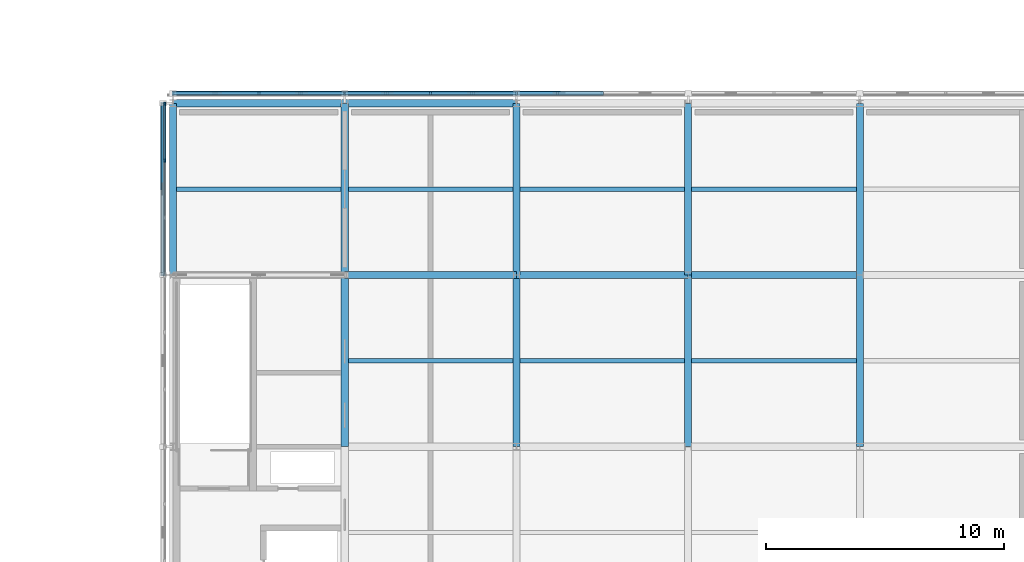
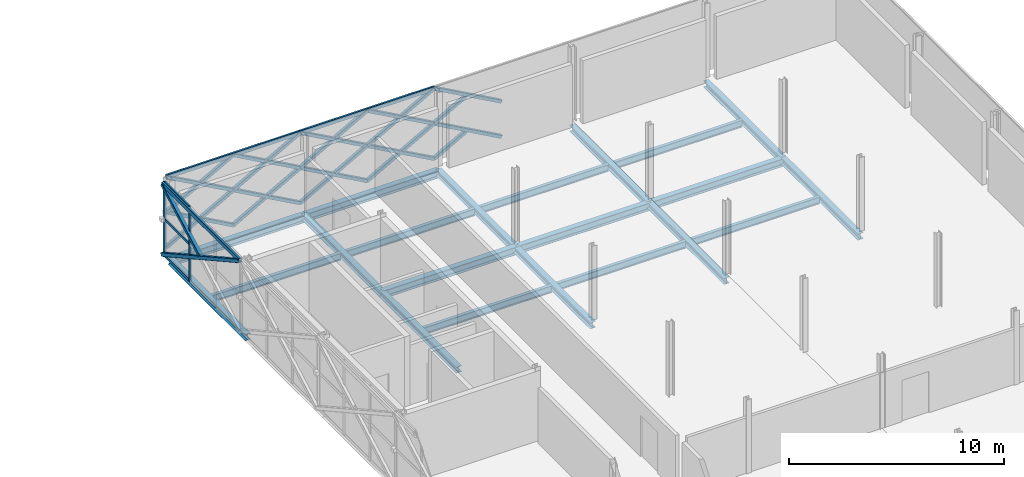
# One storey, part 78 of 146: 38 members, 21 beams, 1 element without a shape of its own.
"""IFC4 building model written with IfcOpenShell, lengths in metres."""

from ifc_helpers import new_model, si_unit, direction, frame, origin, origin_2d, place, context, subcontext, project, spatial, rectangle, hollow_rectangle, i_section, extrude, material, material_profile, profile_set, type_object, element, aggregate, save


model = new_model("IFC4")

# Units and contexts
model_context = context("Model", 3, precision=1e-05, world=origin(), true_north=direction((0.0, 1.0)))
body_context = subcontext(model_context, "Body", "Model", "MODEL_VIEW")
ifc_project = project(units=[si_unit("LENGTHUNIT", "METRE"), si_unit("AREAUNIT", "SQUARE_METRE"), si_unit("VOLUMEUNIT", "CUBIC_METRE"), si_unit("PLANEANGLEUNIT", "RADIAN"), si_unit("MASSUNIT", "GRAM", prefix="KILO")], contexts=[model_context])

# Site, building, storey
site_placement = place(None, origin())
site = spatial("IfcSite", under=ifc_project, at=site_placement, CompositionType="ELEMENT")
building_placement = place(site_placement, origin())
building = spatial("IfcBuilding", under=site, at=building_placement, Name="Zlatovets Crest Museum", CompositionType="ELEMENT")
storey_placement = place(building_placement, frame((0.0, 0.0, 4.5)))
storey = spatial("IfcBuildingStorey", under=building, at=storey_placement, Name="L01", CompositionType="ELEMENT", Elevation=4.5)

# Beams
ifc_material_1 = material(Name="Structural steel S355J2", Category="steel")
ifc_material_profile_1 = material_profile(ifc_material_1, i_section(OverallWidth=0.300048828125, OverallDepth=0.35009765625, WebThickness=0.010009765625, FlangeThickness=0.017578125, FilletRadius=0.027099609375, at=origin_2d()), Name="HEA 360")
ifc_profile_set_1 = profile_set([ifc_material_profile_1], Name="Structural steel S355J2")
beam_type_1 = type_object("IfcBeamType", Name="Beam_B-03", PredefinedType="BEAM", material=ifc_profile_set_1)
beam_1_placement = place(storey_placement, frame((129.60009765625, 93.60009765625, -0.39501953125), z_axis=(0.0, 1.0, 0.0), x_axis=(-1.0, 0.0, 0.0)))
element("IfcBeam", 1, at=beam_1_placement, inside=storey, type_object=beam_type_1, Name="V5 L01 Grid Beam B-03", PredefinedType="BEAM", context=body_context, shape_type="SweptSolid", body=[
    extrude(i_section(OverallWidth=0.300048828125, OverallDepth=0.35009765625, WebThickness=0.010009765625, FlangeThickness=0.017578125, FilletRadius=0.027099609375, at=origin_2d()), origin(), (0.0, 0.0, 1.0), 7.199951171875),
])
beam_2_placement = place(storey_placement, frame((136.800048828125, 86.39990234375, -0.39501953125), z_axis=(0.0, 1.0, 0.0), x_axis=(-1.0, 0.0, 0.0)))
element("IfcBeam", 2, at=beam_2_placement, inside=storey, type_object=beam_type_1, Name="V5 L01 Grid Beam B-03", PredefinedType="BEAM", context=body_context, shape_type="SweptSolid", body=[
    extrude(i_section(OverallWidth=0.300048828125, OverallDepth=0.35009765625, WebThickness=0.010009765625, FlangeThickness=0.017578125, FilletRadius=0.027099609375, at=origin_2d()), origin(), (0.0, 0.0, 1.0), 7.2001953125),
])
beam_3_placement = place(storey_placement, frame((136.800048828125, 93.60009765625, -0.39501953125), z_axis=(0.0, 1.0, 0.0), x_axis=(-1.0, 0.0, 0.0)))
element("IfcBeam", 3, at=beam_3_placement, inside=storey, type_object=beam_type_1, Name="V5 L01 Grid Beam B-03", PredefinedType="BEAM", context=body_context, shape_type="SweptSolid", body=[
    extrude(i_section(OverallWidth=0.300048828125, OverallDepth=0.35009765625, WebThickness=0.010009765625, FlangeThickness=0.017578125, FilletRadius=0.027099609375, at=origin_2d()), origin(), (0.0, 0.0, 1.0), 7.199951171875),
])
beam_4_placement = place(storey_placement, frame((144.0, 86.39990234375, -0.39501953125), z_axis=(0.0, 1.0, 0.0), x_axis=(-1.0, 0.0, 0.0)))
element("IfcBeam", 4, at=beam_4_placement, inside=storey, type_object=beam_type_1, Name="V5 L01 Grid Beam B-03", PredefinedType="BEAM", context=body_context, shape_type="SweptSolid", body=[
    extrude(i_section(OverallWidth=0.300048828125, OverallDepth=0.35009765625, WebThickness=0.010009765625, FlangeThickness=0.017578125, FilletRadius=0.027099609375, at=origin_2d()), origin(), (0.0, 0.0, 1.0), 7.2001953125),
])
beam_5_placement = place(storey_placement, frame((144.0, 93.60009765625, -0.39501953125), z_axis=(0.0, 1.0, 0.0), x_axis=(-1.0, 0.0, 0.0)))
element("IfcBeam", 5, at=beam_5_placement, inside=storey, type_object=beam_type_1, Name="V5 L01 Grid Beam B-03", PredefinedType="BEAM", context=body_context, shape_type="SweptSolid", body=[
    extrude(i_section(OverallWidth=0.300048828125, OverallDepth=0.35009765625, WebThickness=0.010009765625, FlangeThickness=0.017578125, FilletRadius=0.027099609375, at=origin_2d()), origin(), (0.0, 0.0, 1.0), 7.199951171875),
])
beam_6_placement = place(storey_placement, frame((151.199951171875, 86.39990234375, -0.39501953125), z_axis=(0.0, 1.0, 0.0), x_axis=(-1.0, 0.0, 0.0)))
element("IfcBeam", 6, at=beam_6_placement, inside=storey, type_object=beam_type_1, Name="V5 L01 Grid Beam B-03", PredefinedType="BEAM", context=body_context, shape_type="SweptSolid", body=[
    extrude(i_section(OverallWidth=0.300048828125, OverallDepth=0.35009765625, WebThickness=0.010009765625, FlangeThickness=0.017578125, FilletRadius=0.027099609375, at=origin_2d()), origin(), (0.0, 0.0, 1.0), 7.2001953125),
])
beam_7_placement = place(storey_placement, frame((151.199951171875, 93.60009765625, -0.39501953125), z_axis=(0.0, 1.0, 0.0), x_axis=(-1.0, 0.0, 0.0)))
element("IfcBeam", 7, at=beam_7_placement, inside=storey, type_object=beam_type_1, Name="V5 L01 Grid Beam B-03", PredefinedType="BEAM", context=body_context, shape_type="SweptSolid", body=[
    extrude(i_section(OverallWidth=0.300048828125, OverallDepth=0.35009765625, WebThickness=0.010009765625, FlangeThickness=0.017578125, FilletRadius=0.027099609375, at=origin_2d()), origin(), (0.0, 0.0, 1.0), 7.199951171875),
])
beam_8_placement = place(storey_placement, frame((158.39990234375, 86.39990234375, -0.39501953125), z_axis=(0.0, 1.0, 0.0), x_axis=(-1.0, 0.0, 0.0)))
element("IfcBeam", 8, at=beam_8_placement, inside=storey, type_object=beam_type_1, Name="V5 L01 Grid Beam B-03", PredefinedType="BEAM", context=body_context, shape_type="SweptSolid", body=[
    extrude(i_section(OverallWidth=0.300048828125, OverallDepth=0.35009765625, WebThickness=0.010009765625, FlangeThickness=0.017578125, FilletRadius=0.027099609375, at=origin_2d()), origin(), (0.0, 0.0, 1.0), 7.2001953125),
])
beam_9_placement = place(storey_placement, frame((158.39990234375, 93.60009765625, -0.39501953125), z_axis=(0.0, 1.0, 0.0), x_axis=(-1.0, 0.0, 0.0)))
element("IfcBeam", 9, at=beam_9_placement, inside=storey, type_object=beam_type_1, Name="V5 L01 Grid Beam B-03", PredefinedType="BEAM", context=body_context, shape_type="SweptSolid", body=[
    extrude(i_section(OverallWidth=0.300048828125, OverallDepth=0.35009765625, WebThickness=0.010009765625, FlangeThickness=0.017578125, FilletRadius=0.027099609375, at=origin_2d()), origin(), (0.0, 0.0, 1.0), 7.199951171875),
])
ifc_material_profile_2 = material_profile(ifc_material_1, i_section(OverallWidth=0.300048828125, OverallDepth=0.43994140625, WebThickness=0.011474609375, FlangeThickness=0.02099609375, FilletRadius=0.027099609375, at=origin_2d()), Name="HEA 450")
ifc_profile_set_2 = profile_set([ifc_material_profile_2], Name="Structural steel S355J2")
beam_type_2 = type_object("IfcBeamType", Name="Beam_B-10", PredefinedType="BEAM", material=ifc_profile_set_2)
for number, where, z_axis, x_axis, name in (
    (10, (136.800048828125, 93.60009765625, -0.43994140625), (1.0, 0.0, 0.0), (0.0, 1.0, 0.0), "V5 L01 Primary Girder B-10"),
    (11, (144.0, 93.60009765625, -0.43994140625), (1.0, 0.0, 0.0), (0.0, 1.0, 0.0), "V5 L01 Primary Girder B-10"),
    (12, (151.199951171875, 93.60009765625, -0.43994140625), (1.0, 0.0, 0.0), (0.0, 1.0, 0.0), "V5 L01 Primary Girder B-10"),
    (13, (129.60009765625, 100.800048828125, -0.43994140625), (1.0, 0.0, 0.0), (0.0, 1.0, 0.0), "V5 L01 Primary Girder B-10"),
    (14, (136.800048828125, 100.800048828125, -0.43994140625), (1.0, 0.0, 0.0), (0.0, 1.0, 0.0), "V5 L01 Primary Girder B-10"),
):
    element("IfcBeam", number, at=place(storey_placement, frame(where, z_axis=z_axis, x_axis=x_axis)), inside=storey, type_object=beam_type_2, Name=name, PredefinedType="BEAM", context=body_context, shape_type="SweptSolid", body=[
        extrude(i_section(OverallWidth=0.300048828125, OverallDepth=0.43994140625, WebThickness=0.011474609375, FlangeThickness=0.02099609375, FilletRadius=0.027099609375, at=origin_2d()), origin(), (0.0, 0.0, 1.0), 7.199951171875),
    ])
ifc_material_profile_3 = material_profile(ifc_material_1, i_section(OverallWidth=0.179931640625, OverallDepth=0.39990234375, WebThickness=0.008544921875, FlangeThickness=0.013427734375, FilletRadius=0.02099609375, at=origin_2d()), Name="IPE 400")
ifc_profile_set_3 = profile_set([ifc_material_profile_3], Name="Structural steel S355J2")
beam_type_3 = type_object("IfcBeamType", Name="Beam_J-04", PredefinedType="JOIST", material=ifc_profile_set_3)
beam_10_placement = place(storey_placement, frame((129.75, 97.199951171875, -0.419921875), z_axis=(1.0, 0.0, 0.0), x_axis=(0.0, 1.0, 0.0)))
element("IfcBeam", 15, at=beam_10_placement, inside=storey, type_object=beam_type_3, Name="V5 L01 Composite Joist J-04", PredefinedType="JOIST", context=body_context, shape_type="SweptSolid", body=[
    extrude(i_section(OverallWidth=0.179931640625, OverallDepth=0.39990234375, WebThickness=0.008544921875, FlangeThickness=0.013427734375, FilletRadius=0.02099609375, at=origin_2d()), origin(), (0.0, 0.0, 1.0), 6.89990234375),
])
for number, where, z_axis, x_axis, name in (
    (16, (136.949951171875, 90.0, -0.419921875), (1.0, 0.0, 0.0), (0.0, 1.0, 0.0), "V5 L01 Composite Joist J-04"),
    (17, (136.949951171875, 97.199951171875, -0.419921875), (1.0, 0.0, 0.0), (0.0, 1.0, 0.0), "V5 L01 Composite Joist J-04"),
    (18, (144.14990234375, 90.0, -0.419921875), (1.0, 0.0, 0.0), (0.0, 1.0, 0.0), "V5 L01 Composite Joist J-04"),
    (19, (144.14990234375, 97.199951171875, -0.419921875), (1.0, 0.0, 0.0), (0.0, 1.0, 0.0), "V5 L01 Composite Joist J-04"),
):
    element("IfcBeam", number, at=place(storey_placement, frame(where, z_axis=z_axis, x_axis=x_axis)), inside=storey, type_object=beam_type_3, Name=name, PredefinedType="JOIST", context=body_context, shape_type="SweptSolid", body=[
        extrude(i_section(OverallWidth=0.179931640625, OverallDepth=0.39990234375, WebThickness=0.008544921875, FlangeThickness=0.013427734375, FilletRadius=0.02099609375, at=origin_2d()), origin(), (0.0, 0.0, 1.0), 6.900146484375),
    ])
for number, where, z_axis, x_axis, name in (
    (20, (151.35009765625, 90.0, -0.419921875), (1.0, 0.0, 0.0), (0.0, 1.0, 0.0), "V5 L01 Composite Joist J-04"),
    (21, (151.35009765625, 97.199951171875, -0.419921875), (1.0, 0.0, 0.0), (0.0, 1.0, 0.0), "V5 L01 Composite Joist J-04"),
):
    element("IfcBeam", number, at=place(storey_placement, frame(where, z_axis=z_axis, x_axis=x_axis)), inside=storey, type_object=beam_type_3, Name=name, PredefinedType="JOIST", context=body_context, shape_type="SweptSolid", body=[
        extrude(i_section(OverallWidth=0.179931640625, OverallDepth=0.39990234375, WebThickness=0.008544921875, FlangeThickness=0.013427734375, FilletRadius=0.02099609375, at=origin_2d()), origin(), (0.0, 0.0, 1.0), 6.89990234375),
    ])

# Curtain wall, members
ifc_material_2 = material(Name="Bronze-anodised aluminium and low-E triple glass", Category="aluminium")
curtain_wall_type = type_object("IfcCurtainWallType", Name="CW_CW-V5-L01-M2", PredefinedType="NOTDEFINED", material=ifc_material_2)
curtain_wall_placement = place(storey_placement, origin())
curtain_wall = element("IfcCurtainWall", 22, at=curtain_wall_placement, inside=storey, type_object=curtain_wall_type, Name="V5 L01 Secession Foyer Clear Curtain Wall", PredefinedType="NOTDEFINED")
ifc_material_3 = material(Name="Bronze-anodised aluminium EN AW-6060", Category="aluminium")
ifc_material_profile_4 = material_profile(ifc_material_3, rectangle(XDim=0.080078125, YDim=0.159912109375, at=origin_2d()), Name="ALU 80x160")
ifc_profile_set_4 = profile_set([ifc_material_profile_4], Name="Bronze-anodised aluminium EN AW-6060")
member_type_1 = type_object("IfcMemberType", Name="CWMull_M1", PredefinedType="MULLION", material=ifc_profile_set_4)
member_1_placement = place(storey_placement, frame((129.260009765625, 100.77001953125, 0.0), z_axis=(0.0, 0.0, 1.0), x_axis=(1.0, 0.0, 0.0)))
member_1 = element("IfcMember", 23, at=member_1_placement, type_object=member_type_1, Name="CW-V5-L01-M2 mullion 1", PredefinedType="MULLION", context=body_context, shape_type="SweptSolid", body=[
    extrude(rectangle(XDim=0.080078125, YDim=0.159912109375, at=origin_2d()), origin(), (0.0, 0.0, 1.0), 4.199951171875),
])
member_2_placement = place(storey_placement, frame((129.260009765625, 98.39990234375, 0.0), z_axis=(0.0, 0.0, 1.0), x_axis=(1.0, 0.0, 0.0)))
member_2 = element("IfcMember", 24, at=member_2_placement, type_object=member_type_1, Name="CW-V5-L01-M2 mullion 2", PredefinedType="MULLION", context=body_context, shape_type="SweptSolid", body=[
    extrude(rectangle(XDim=0.080078125, YDim=0.159912109375, at=origin_2d()), origin(), (0.0, 0.0, 1.0), 4.199951171875),
])
ifc_material_profile_5 = material_profile(ifc_material_3, rectangle(XDim=0.080078125, YDim=0.159912109375, at=origin_2d()), Name="ALU 80x160")
ifc_profile_set_5 = profile_set([ifc_material_profile_5], Name="Bronze-anodised aluminium EN AW-6060")
member_type_2 = type_object("IfcMemberType", Name="CWTrans_T1", PredefinedType="USERDEFINED", material=ifc_profile_set_5)
member_3_placement = place(storey_placement, frame((129.260009765625, 100.739990234375, 0.030029296875), z_axis=(0.0, -1.0, 0.0), x_axis=(1.0, 0.0, 0.0)))
member_3 = element("IfcMember", 25, at=member_3_placement, type_object=member_type_2, Name="CW-V5-L01-M2 transom 1.1", ObjectType="TRANSOM", PredefinedType="USERDEFINED", context=body_context, shape_type="SweptSolid", body=[
    extrude(rectangle(XDim=0.080078125, YDim=0.159912109375, at=origin_2d()), origin(), (0.0, 0.0, 1.0), 2.31005859375),
])
member_4_placement = place(storey_placement, frame((129.260009765625, 100.739990234375, 2.10009765625), z_axis=(0.0, -1.0, 0.0), x_axis=(1.0, 0.0, 0.0)))
member_4 = element("IfcMember", 26, at=member_4_placement, type_object=member_type_2, Name="CW-V5-L01-M2 transom 1.2", ObjectType="TRANSOM", PredefinedType="USERDEFINED", context=body_context, shape_type="SweptSolid", body=[
    extrude(rectangle(XDim=0.080078125, YDim=0.159912109375, at=origin_2d()), origin(), (0.0, 0.0, 1.0), 2.31005859375),
])
member_5_placement = place(storey_placement, frame((129.260009765625, 100.739990234375, 4.169921875), z_axis=(0.0, -1.0, 0.0), x_axis=(1.0, 0.0, 0.0)))
member_5 = element("IfcMember", 27, at=member_5_placement, type_object=member_type_2, Name="CW-V5-L01-M2 transom 1.3", ObjectType="TRANSOM", PredefinedType="USERDEFINED", context=body_context, shape_type="SweptSolid", body=[
    extrude(rectangle(XDim=0.080078125, YDim=0.159912109375, at=origin_2d()), origin(), (0.0, 0.0, 1.0), 2.31005859375),
])
aggregate(curtain_wall, [member_1, member_2, member_3, member_4, member_5])

# Members
ifc_material_4 = material(Name="Weathering bronze-steel S355J2W", Category="steel")
ifc_material_profile_6 = material_profile(ifc_material_4, hollow_rectangle(XDim=0.179931640625, YDim=0.179931640625, WallThickness=0.010009765625, InnerFilletRadius=0.010009765625, OuterFilletRadius=0.02001953125, at=origin_2d()), Name="SHS 180x180x10.0")
ifc_profile_set_6 = profile_set([ifc_material_profile_6], Name="Weathering bronze-steel S355J2W")
member_type_3 = type_object("IfcMemberType", Name="Lattice_XL-01", PredefinedType="BRACE", material=ifc_profile_set_6)
member_6_placement = place(storey_placement, frame((147.60009765625, 101.219970703125, 0.10009765625), z_axis=(-0.874162868644, 0.0, 0.485632864501), x_axis=(0.0, -1.0, 0.0)))
element("IfcMember", 28, at=member_6_placement, inside=storey, type_object=member_type_3, Name="Continuous Bronze Lattice Diagonal", PredefinedType="BRACE", context=body_context, shape_type="SweptSolid", body=[
    extrude(hollow_rectangle(XDim=0.179931640625, YDim=0.179931640625, WallThickness=0.010009765625, InnerFilletRadius=0.010009765625, OuterFilletRadius=0.02001953125, at=origin_2d()), origin(), (0.0, 0.0, 1.0), 4.118408203125),
])
member_7_placement = place(storey_placement, frame((145.717041015625, 101.219970703125, 1.053955078125), z_axis=(-0.874169001841, 0.0, -0.485621824284), x_axis=(0.0, -1.0, 0.0)))
element("IfcMember", 29, at=member_7_placement, inside=storey, type_object=member_type_3, Name="Split Crossing Bronze Lattice Diagonal Lower", PredefinedType="BRACE", context=body_context, shape_type="SweptSolid", body=[
    extrude(hollow_rectangle(XDim=0.179931640625, YDim=0.179931640625, WallThickness=0.010009765625, InnerFilletRadius=0.010009765625, OuterFilletRadius=0.02001953125, at=origin_2d()), origin(), (0.0, 0.0, 1.0), 1.964111328125),
])
member_8_placement = place(storey_placement, frame((147.60009765625, 101.219970703125, 2.10009765625), z_axis=(-0.874162868644, 0.0, 0.485632864501), x_axis=(0.0, -1.0, 0.0)))
element("IfcMember", 30, at=member_8_placement, inside=storey, type_object=member_type_3, Name="Continuous Bronze Lattice Diagonal", PredefinedType="BRACE", context=body_context, shape_type="SweptSolid", body=[
    extrude(hollow_rectangle(XDim=0.179931640625, YDim=0.179931640625, WallThickness=0.010009765625, InnerFilletRadius=0.010009765625, OuterFilletRadius=0.02001953125, at=origin_2d()), origin(), (0.0, 0.0, 1.0), 4.118408203125),
])
member_9_placement = place(storey_placement, frame((145.717041015625, 101.219970703125, 3.053955078125), z_axis=(-0.874169001841, 0.0, -0.485621824284), x_axis=(0.0, -1.0, 0.0)))
element("IfcMember", 31, at=member_9_placement, inside=storey, type_object=member_type_3, Name="Split Crossing Bronze Lattice Diagonal Lower", PredefinedType="BRACE", context=body_context, shape_type="SweptSolid", body=[
    extrude(hollow_rectangle(XDim=0.179931640625, YDim=0.179931640625, WallThickness=0.010009765625, InnerFilletRadius=0.010009765625, OuterFilletRadius=0.02001953125, at=origin_2d()), origin(), (0.0, 0.0, 1.0), 1.964111328125),
])
member_10_placement = place(storey_placement, frame((144.0, 101.219970703125, 0.10009765625), z_axis=(-0.874162868644, 0.0, 0.485632864501), x_axis=(0.0, -1.0, 0.0)))
element("IfcMember", 32, at=member_10_placement, inside=storey, type_object=member_type_3, Name="Continuous Bronze Lattice Diagonal", PredefinedType="BRACE", context=body_context, shape_type="SweptSolid", body=[
    extrude(hollow_rectangle(XDim=0.179931640625, YDim=0.179931640625, WallThickness=0.010009765625, InnerFilletRadius=0.010009765625, OuterFilletRadius=0.02001953125, at=origin_2d()), origin(), (0.0, 0.0, 1.0), 4.118408203125),
])
member_11_placement = place(storey_placement, frame((144.0, 101.219970703125, 2.10009765625), z_axis=(-0.874116234569, 0.0, -0.48571679862), x_axis=(0.0, -1.0, 0.0)))
element("IfcMember", 33, at=member_11_placement, inside=storey, type_object=member_type_3, Name="Split Crossing Bronze Lattice Diagonal Upper", PredefinedType="BRACE", context=body_context, shape_type="SweptSolid", body=[
    extrude(hollow_rectangle(XDim=0.179931640625, YDim=0.179931640625, WallThickness=0.010009765625, InnerFilletRadius=0.010009765625, OuterFilletRadius=0.02001953125, at=origin_2d()), origin(), (0.0, 0.0, 1.0), 1.96435546875),
])
member_12_placement = place(storey_placement, frame((142.116943359375, 101.219970703125, 1.053955078125), z_axis=(-0.874169001841, 0.0, -0.485621824284), x_axis=(0.0, -1.0, 0.0)))
element("IfcMember", 34, at=member_12_placement, inside=storey, type_object=member_type_3, Name="Split Crossing Bronze Lattice Diagonal Lower", PredefinedType="BRACE", context=body_context, shape_type="SweptSolid", body=[
    extrude(hollow_rectangle(XDim=0.179931640625, YDim=0.179931640625, WallThickness=0.010009765625, InnerFilletRadius=0.010009765625, OuterFilletRadius=0.02001953125, at=origin_2d()), origin(), (0.0, 0.0, 1.0), 1.964111328125),
])
member_13_placement = place(storey_placement, frame((140.39990234375, 101.219970703125, 0.10009765625), z_axis=(-0.874148886685, 0.0, 0.485658031857), x_axis=(0.0, -1.0, 0.0)))
element("IfcMember", 35, at=member_13_placement, inside=storey, type_object=member_type_3, Name="Continuous Bronze Lattice Diagonal", PredefinedType="BRACE", context=body_context, shape_type="SweptSolid", body=[
    extrude(hollow_rectangle(XDim=0.179931640625, YDim=0.179931640625, WallThickness=0.010009765625, InnerFilletRadius=0.010009765625, OuterFilletRadius=0.02001953125, at=origin_2d()), origin(), (0.0, 0.0, 1.0), 4.1181640625),
])
for number, where, z_axis, x_axis, name in (
    (36, (140.39990234375, 101.219970703125, 2.10009765625), (-0.874086907708, 0.0, -0.485769572713), (0.0, -1.0, 0.0), "Split Crossing Bronze Lattice Diagonal Upper"),
    (37, (138.51708984375, 101.219970703125, 1.053955078125), (-0.874169001841, 0.0, -0.485621824284), (0.0, -1.0, 0.0), "Split Crossing Bronze Lattice Diagonal Lower"),
):
    element("IfcMember", number, at=place(storey_placement, frame(where, z_axis=z_axis, x_axis=x_axis)), inside=storey, type_object=member_type_3, Name=name, PredefinedType="BRACE", context=body_context, shape_type="SweptSolid", body=[
        extrude(hollow_rectangle(XDim=0.179931640625, YDim=0.179931640625, WallThickness=0.010009765625, InnerFilletRadius=0.010009765625, OuterFilletRadius=0.02001953125, at=origin_2d()), origin(), (0.0, 0.0, 1.0), 1.964111328125),
    ])
member_14_placement = place(storey_placement, frame((144.0, 101.219970703125, 2.10009765625), z_axis=(-0.874162868644, 0.0, 0.485632864501), x_axis=(0.0, -1.0, 0.0)))
element("IfcMember", 38, at=member_14_placement, inside=storey, type_object=member_type_3, Name="Continuous Bronze Lattice Diagonal", PredefinedType="BRACE", context=body_context, shape_type="SweptSolid", body=[
    extrude(hollow_rectangle(XDim=0.179931640625, YDim=0.179931640625, WallThickness=0.010009765625, InnerFilletRadius=0.010009765625, OuterFilletRadius=0.02001953125, at=origin_2d()), origin(), (0.0, 0.0, 1.0), 4.118408203125),
])
member_15_placement = place(storey_placement, frame((144.0, 101.219970703125, 4.10009765625), z_axis=(-0.874116234569, 0.0, -0.48571679862), x_axis=(0.0, -1.0, 0.0)))
element("IfcMember", 39, at=member_15_placement, inside=storey, type_object=member_type_3, Name="Split Crossing Bronze Lattice Diagonal Upper", PredefinedType="BRACE", context=body_context, shape_type="SweptSolid", body=[
    extrude(hollow_rectangle(XDim=0.179931640625, YDim=0.179931640625, WallThickness=0.010009765625, InnerFilletRadius=0.010009765625, OuterFilletRadius=0.02001953125, at=origin_2d()), origin(), (0.0, 0.0, 1.0), 1.96435546875),
])
member_16_placement = place(storey_placement, frame((142.116943359375, 101.219970703125, 3.053955078125), z_axis=(-0.874169001841, 0.0, -0.485621824284), x_axis=(0.0, -1.0, 0.0)))
element("IfcMember", 40, at=member_16_placement, inside=storey, type_object=member_type_3, Name="Split Crossing Bronze Lattice Diagonal Lower", PredefinedType="BRACE", context=body_context, shape_type="SweptSolid", body=[
    extrude(hollow_rectangle(XDim=0.179931640625, YDim=0.179931640625, WallThickness=0.010009765625, InnerFilletRadius=0.010009765625, OuterFilletRadius=0.02001953125, at=origin_2d()), origin(), (0.0, 0.0, 1.0), 1.964111328125),
])
member_17_placement = place(storey_placement, frame((140.39990234375, 101.219970703125, 2.10009765625), z_axis=(-0.874148886685, 0.0, 0.485658031857), x_axis=(0.0, -1.0, 0.0)))
element("IfcMember", 41, at=member_17_placement, inside=storey, type_object=member_type_3, Name="Continuous Bronze Lattice Diagonal", PredefinedType="BRACE", context=body_context, shape_type="SweptSolid", body=[
    extrude(hollow_rectangle(XDim=0.179931640625, YDim=0.179931640625, WallThickness=0.010009765625, InnerFilletRadius=0.010009765625, OuterFilletRadius=0.02001953125, at=origin_2d()), origin(), (0.0, 0.0, 1.0), 4.1181640625),
])
for number, where, z_axis, x_axis, name in (
    (42, (140.39990234375, 101.219970703125, 4.10009765625), (-0.874086907708, 0.0, -0.485769572713), (0.0, -1.0, 0.0), "Split Crossing Bronze Lattice Diagonal Upper"),
    (43, (138.51708984375, 101.219970703125, 3.053955078125), (-0.874169001841, 0.0, -0.485621824284), (0.0, -1.0, 0.0), "Split Crossing Bronze Lattice Diagonal Lower"),
):
    element("IfcMember", number, at=place(storey_placement, frame(where, z_axis=z_axis, x_axis=x_axis)), inside=storey, type_object=member_type_3, Name=name, PredefinedType="BRACE", context=body_context, shape_type="SweptSolid", body=[
        extrude(hollow_rectangle(XDim=0.179931640625, YDim=0.179931640625, WallThickness=0.010009765625, InnerFilletRadius=0.010009765625, OuterFilletRadius=0.02001953125, at=origin_2d()), origin(), (0.0, 0.0, 1.0), 1.964111328125),
    ])
member_18_placement = place(storey_placement, frame((136.800048828125, 101.219970703125, 0.10009765625), z_axis=(-0.874162868644, 0.0, 0.485632864501), x_axis=(0.0, -1.0, 0.0)))
element("IfcMember", 44, at=member_18_placement, inside=storey, type_object=member_type_3, Name="Continuous Bronze Lattice Diagonal", PredefinedType="BRACE", context=body_context, shape_type="SweptSolid", body=[
    extrude(hollow_rectangle(XDim=0.179931640625, YDim=0.179931640625, WallThickness=0.010009765625, InnerFilletRadius=0.010009765625, OuterFilletRadius=0.02001953125, at=origin_2d()), origin(), (0.0, 0.0, 1.0), 4.118408203125),
])
member_19_placement = place(storey_placement, frame((136.800048828125, 101.219970703125, 2.10009765625), z_axis=(-0.874116234569, 0.0, -0.48571679862), x_axis=(0.0, -1.0, 0.0)))
element("IfcMember", 45, at=member_19_placement, inside=storey, type_object=member_type_3, Name="Split Crossing Bronze Lattice Diagonal Upper", PredefinedType="BRACE", context=body_context, shape_type="SweptSolid", body=[
    extrude(hollow_rectangle(XDim=0.179931640625, YDim=0.179931640625, WallThickness=0.010009765625, InnerFilletRadius=0.010009765625, OuterFilletRadius=0.02001953125, at=origin_2d()), origin(), (0.0, 0.0, 1.0), 1.96435546875),
])
member_20_placement = place(storey_placement, frame((134.9169921875, 101.219970703125, 1.053955078125), z_axis=(-0.874169001841, 0.0, -0.485621824284), x_axis=(0.0, -1.0, 0.0)))
element("IfcMember", 46, at=member_20_placement, inside=storey, type_object=member_type_3, Name="Split Crossing Bronze Lattice Diagonal Lower", PredefinedType="BRACE", context=body_context, shape_type="SweptSolid", body=[
    extrude(hollow_rectangle(XDim=0.179931640625, YDim=0.179931640625, WallThickness=0.010009765625, InnerFilletRadius=0.010009765625, OuterFilletRadius=0.02001953125, at=origin_2d()), origin(), (0.0, 0.0, 1.0), 1.964111328125),
])
member_21_placement = place(storey_placement, frame((133.199951171875, 101.219970703125, 0.10009765625), z_axis=(-0.874148886685, 0.0, 0.485658031857), x_axis=(0.0, -1.0, 0.0)))
element("IfcMember", 47, at=member_21_placement, inside=storey, type_object=member_type_3, Name="Continuous Bronze Lattice Diagonal", PredefinedType="BRACE", context=body_context, shape_type="SweptSolid", body=[
    extrude(hollow_rectangle(XDim=0.179931640625, YDim=0.179931640625, WallThickness=0.010009765625, InnerFilletRadius=0.010009765625, OuterFilletRadius=0.02001953125, at=origin_2d()), origin(), (0.0, 0.0, 1.0), 4.1181640625),
])
member_22_placement = place(storey_placement, frame((133.199951171875, 101.219970703125, 2.10009765625), z_axis=(-0.874116234569, 0.0, -0.48571679862), x_axis=(0.0, -1.0, 0.0)))
element("IfcMember", 48, at=member_22_placement, inside=storey, type_object=member_type_3, Name="Split Crossing Bronze Lattice Diagonal Upper", PredefinedType="BRACE", context=body_context, shape_type="SweptSolid", body=[
    extrude(hollow_rectangle(XDim=0.179931640625, YDim=0.179931640625, WallThickness=0.010009765625, InnerFilletRadius=0.010009765625, OuterFilletRadius=0.02001953125, at=origin_2d()), origin(), (0.0, 0.0, 1.0), 1.96435546875),
])
member_23_placement = place(storey_placement, frame((131.31689453125, 101.219970703125, 1.053955078125), z_axis=(-0.874139684676, 0.0, -0.48567459443), x_axis=(0.0, -1.0, 0.0)))
element("IfcMember", 49, at=member_23_placement, inside=storey, type_object=member_type_3, Name="Split Crossing Bronze Lattice Diagonal Lower", PredefinedType="BRACE", context=body_context, shape_type="SweptSolid", body=[
    extrude(hollow_rectangle(XDim=0.179931640625, YDim=0.179931640625, WallThickness=0.010009765625, InnerFilletRadius=0.010009765625, OuterFilletRadius=0.02001953125, at=origin_2d()), origin(), (0.0, 0.0, 1.0), 1.9638671875),
])
member_24_placement = place(storey_placement, frame((136.800048828125, 101.219970703125, 2.10009765625), z_axis=(-0.874162868644, 0.0, 0.485632864501), x_axis=(0.0, -1.0, 0.0)))
element("IfcMember", 50, at=member_24_placement, inside=storey, type_object=member_type_3, Name="Continuous Bronze Lattice Diagonal", PredefinedType="BRACE", context=body_context, shape_type="SweptSolid", body=[
    extrude(hollow_rectangle(XDim=0.179931640625, YDim=0.179931640625, WallThickness=0.010009765625, InnerFilletRadius=0.010009765625, OuterFilletRadius=0.02001953125, at=origin_2d()), origin(), (0.0, 0.0, 1.0), 4.118408203125),
])
member_25_placement = place(storey_placement, frame((136.800048828125, 101.219970703125, 4.10009765625), z_axis=(-0.874116234569, 0.0, -0.48571679862), x_axis=(0.0, -1.0, 0.0)))
element("IfcMember", 51, at=member_25_placement, inside=storey, type_object=member_type_3, Name="Split Crossing Bronze Lattice Diagonal Upper", PredefinedType="BRACE", context=body_context, shape_type="SweptSolid", body=[
    extrude(hollow_rectangle(XDim=0.179931640625, YDim=0.179931640625, WallThickness=0.010009765625, InnerFilletRadius=0.010009765625, OuterFilletRadius=0.02001953125, at=origin_2d()), origin(), (0.0, 0.0, 1.0), 1.96435546875),
])
member_26_placement = place(storey_placement, frame((134.9169921875, 101.219970703125, 3.053955078125), z_axis=(-0.874169001841, 0.0, -0.485621824284), x_axis=(0.0, -1.0, 0.0)))
element("IfcMember", 52, at=member_26_placement, inside=storey, type_object=member_type_3, Name="Split Crossing Bronze Lattice Diagonal Lower", PredefinedType="BRACE", context=body_context, shape_type="SweptSolid", body=[
    extrude(hollow_rectangle(XDim=0.179931640625, YDim=0.179931640625, WallThickness=0.010009765625, InnerFilletRadius=0.010009765625, OuterFilletRadius=0.02001953125, at=origin_2d()), origin(), (0.0, 0.0, 1.0), 1.964111328125),
])
member_27_placement = place(storey_placement, frame((133.199951171875, 101.219970703125, 2.10009765625), z_axis=(-0.874148886685, 0.0, 0.485658031857), x_axis=(0.0, -1.0, 0.0)))
element("IfcMember", 53, at=member_27_placement, inside=storey, type_object=member_type_3, Name="Continuous Bronze Lattice Diagonal", PredefinedType="BRACE", context=body_context, shape_type="SweptSolid", body=[
    extrude(hollow_rectangle(XDim=0.179931640625, YDim=0.179931640625, WallThickness=0.010009765625, InnerFilletRadius=0.010009765625, OuterFilletRadius=0.02001953125, at=origin_2d()), origin(), (0.0, 0.0, 1.0), 4.1181640625),
])
member_28_placement = place(storey_placement, frame((133.199951171875, 101.219970703125, 4.10009765625), z_axis=(-0.874116234569, 0.0, -0.48571679862), x_axis=(0.0, -1.0, 0.0)))
element("IfcMember", 54, at=member_28_placement, inside=storey, type_object=member_type_3, Name="Split Crossing Bronze Lattice Diagonal Upper", PredefinedType="BRACE", context=body_context, shape_type="SweptSolid", body=[
    extrude(hollow_rectangle(XDim=0.179931640625, YDim=0.179931640625, WallThickness=0.010009765625, InnerFilletRadius=0.010009765625, OuterFilletRadius=0.02001953125, at=origin_2d()), origin(), (0.0, 0.0, 1.0), 1.96435546875),
])
member_29_placement = place(storey_placement, frame((131.31689453125, 101.219970703125, 3.053955078125), z_axis=(-0.874139684676, 0.0, -0.48567459443), x_axis=(0.0, -1.0, 0.0)))
element("IfcMember", 55, at=member_29_placement, inside=storey, type_object=member_type_3, Name="Split Crossing Bronze Lattice Diagonal Lower", PredefinedType="BRACE", context=body_context, shape_type="SweptSolid", body=[
    extrude(hollow_rectangle(XDim=0.179931640625, YDim=0.179931640625, WallThickness=0.010009765625, InnerFilletRadius=0.010009765625, OuterFilletRadius=0.02001953125, at=origin_2d()), origin(), (0.0, 0.0, 1.0), 1.9638671875),
])
ifc_material_profile_7 = material_profile(ifc_material_4, hollow_rectangle(XDim=0.199951171875, YDim=0.199951171875, WallThickness=0.012451171875, InnerFilletRadius=0.012451171875, OuterFilletRadius=0.02490234375, at=origin_2d()), Name="SHS 200x200x12.5")
ifc_profile_set_7 = profile_set([ifc_material_profile_7], Name="Weathering bronze-steel S355J2W")
member_type_4 = type_object("IfcMemberType", Name="Lattice_XL-02", PredefinedType="BRACE", material=ifc_profile_set_7)
member_30_placement = place(storey_placement, frame((129.179931640625, 100.800048828125, 0.10009765625), z_axis=(0.0, -0.874155877937, 0.485645447903), x_axis=(1.0, 0.0, 0.0)))
element("IfcMember", 56, at=member_30_placement, inside=storey, type_object=member_type_4, Name="Continuous Bronze Lattice Diagonal", PredefinedType="BRACE", context=body_context, shape_type="SweptSolid", body=[
    extrude(hollow_rectangle(XDim=0.199951171875, YDim=0.199951171875, WallThickness=0.012451171875, InnerFilletRadius=0.012451171875, OuterFilletRadius=0.02490234375, at=origin_2d()), origin(), (0.0, 0.0, 1.0), 8.236572265625),
])
member_31_placement = place(storey_placement, frame((129.179931640625, 100.800048828125, 4.10009765625), z_axis=(0.0, -0.874140102304, -0.485673842763), x_axis=(1.0, 0.0, 0.0)))
element("IfcMember", 57, at=member_31_placement, inside=storey, type_object=member_type_4, Name="Split Crossing Bronze Lattice Diagonal Upper", PredefinedType="BRACE", context=body_context, shape_type="SweptSolid", body=[
    extrude(hollow_rectangle(XDim=0.199951171875, YDim=0.199951171875, WallThickness=0.012451171875, InnerFilletRadius=0.012451171875, OuterFilletRadius=0.02490234375, at=origin_2d()), origin(), (0.0, 0.0, 1.0), 4.0234375),
])
ifc_material_profile_8 = material_profile(ifc_material_4, hollow_rectangle(XDim=0.1201171875, YDim=0.239990234375, WallThickness=0.010009765625, InnerFilletRadius=0.010009765625, OuterFilletRadius=0.02001953125, at=origin_2d()), Name="RHS 120x240x10.0")
ifc_profile_set_8 = profile_set([ifc_material_profile_8], Name="Weathering bronze-steel S355J2W")
member_type_5 = type_object("IfcMemberType", Name="Lattice_XL-04", PredefinedType="CHORD", material=ifc_profile_set_8)
for number, where, z_axis, x_axis, name in (
    (58, (144.0, 101.219970703125, 4.10009765625), (-1.0, 0.0, 0.0), (0.0, -1.0, 0.0), "Art Nouveau Woven Cage Collector Ring Chord"),
    (59, (136.800048828125, 101.219970703125, 4.10009765625), (-1.0, 0.0, 0.0), (0.0, -1.0, 0.0), "Art Nouveau Woven Cage Collector Ring Chord"),
    (60, (129.179931640625, 100.800048828125, 4.10009765625), (0.0, -1.0, 0.0), (1.0, 0.0, 0.0), "Art Nouveau Woven Cage Collector Ring Chord"),
):
    element("IfcMember", number, at=place(storey_placement, frame(where, z_axis=z_axis, x_axis=x_axis)), inside=storey, type_object=member_type_5, Name=name, PredefinedType="CHORD", context=body_context, shape_type="SweptSolid", body=[
        extrude(hollow_rectangle(XDim=0.1201171875, YDim=0.239990234375, WallThickness=0.010009765625, InnerFilletRadius=0.010009765625, OuterFilletRadius=0.02001953125, at=origin_2d()), origin(), (0.0, 0.0, 1.0), 7.199951171875),
    ])

save(model, "model.ifc")
